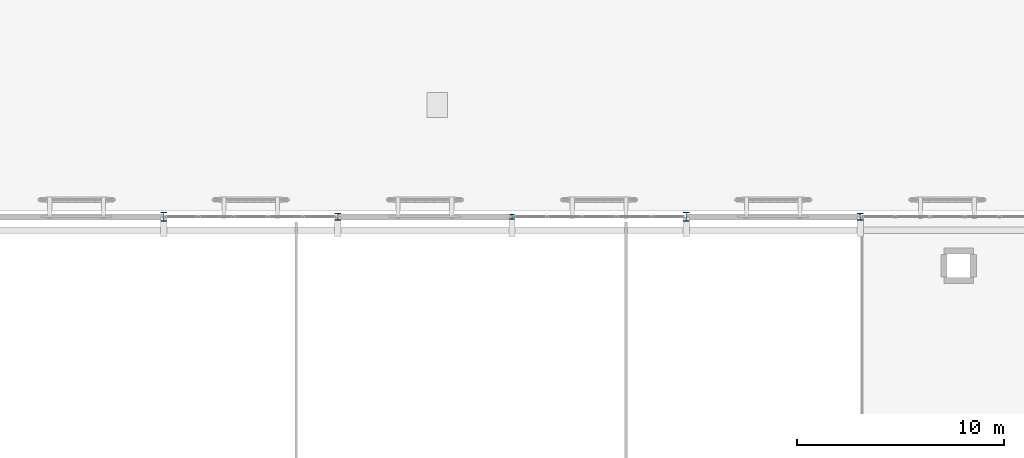
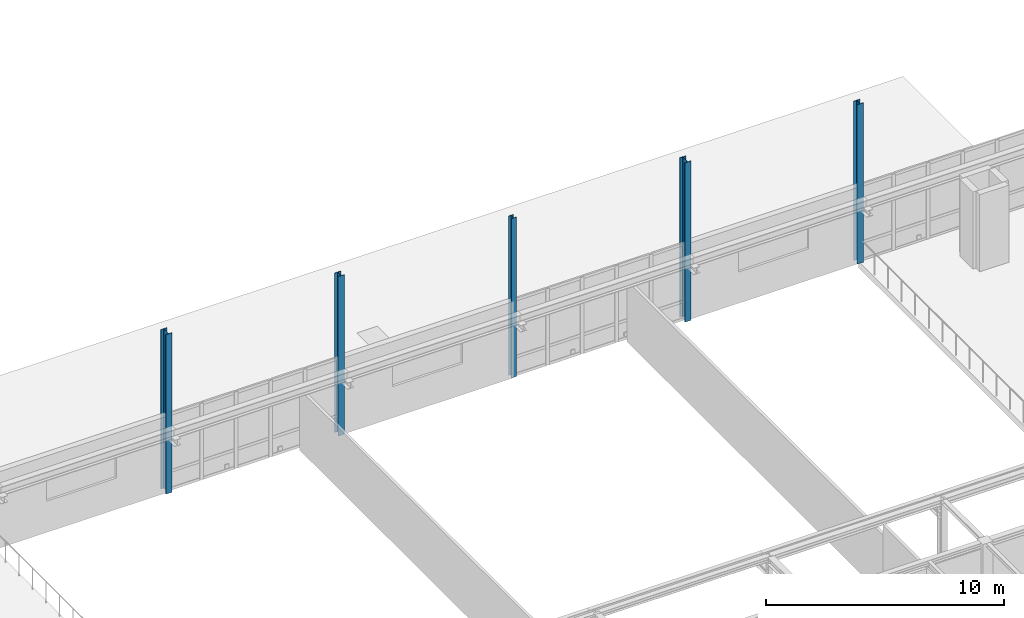
# One storey, part 15 of 170: 5 columns.
"""IFC4 building model written with IfcOpenShell, lengths in metres."""

from ifc_helpers import new_model, si_unit, direction, frame, origin, origin_2d, place, context, subcontext, project, spatial, i_section, extrude, material, material_profile, profile_set, type_object, element, save


model = new_model("IFC4")

# Units and contexts
model_context = context("Model", 3, precision=1e-05, world=origin(), true_north=direction((0.0, 1.0)))
body_context = subcontext(model_context, "Body", "Model", "MODEL_VIEW")
ifc_project = project(units=[si_unit("LENGTHUNIT", "METRE"), si_unit("AREAUNIT", "SQUARE_METRE"), si_unit("VOLUMEUNIT", "CUBIC_METRE"), si_unit("PLANEANGLEUNIT", "RADIAN"), si_unit("MASSUNIT", "GRAM", prefix="KILO")], contexts=[model_context])

# Site, building, storey
site_placement = place(None, origin())
site = spatial("IfcSite", under=ifc_project, at=site_placement, CompositionType="ELEMENT")
building_placement = place(site_placement, origin())
building = spatial("IfcBuilding", under=site, at=building_placement, Name="Mazaris Harbour Polytechnic", CompositionType="ELEMENT")
storey_placement = place(building_placement, frame((0.0, 0.0, 5.39990234375)))
storey = spatial("IfcBuildingStorey", under=building, at=storey_placement, Name="L01", CompositionType="ELEMENT", Elevation=5.39990234375)

# Columns
ifc_material_1 = material(Name="Steel S355", Category="steel")
ifc_material_profile_1 = material_profile(ifc_material_1, i_section(OverallWidth=0.239990234375, OverallDepth=0.239990234375, WebThickness=0.010009765625, FlangeThickness=0.01708984375, FilletRadius=0.02099609375, at=origin_2d()), Name="HEB 240")
ifc_profile_set_1 = profile_set([ifc_material_profile_1], Name="Steel S355")
column_type_1 = type_object("IfcColumnType", Name="Steel Column HEB240", PredefinedType="COLUMN", material=ifc_profile_set_1)
column_placement = place(storey_placement, frame((87.60009765625, 108.0, 0.0), z_axis=(0.0, 0.0, 1.0), x_axis=(1.0, 0.0, 0.0)))
element("IfcColumn", 1, at=column_placement, inside=storey, type_object=column_type_1, Name="V1 L01 Column 138", PredefinedType="COLUMN", context=body_context, shape_type="SweptSolid", body=[
    extrude(i_section(OverallWidth=0.239990234375, OverallDepth=0.239990234375, WebThickness=0.010009765625, FlangeThickness=0.01708984375, FilletRadius=0.02099609375, at=origin_2d()), origin(), (0.0, 0.0, 1.0), 8.18017578125),
])
ifc_material_2 = material(Name="Steel S355", Category="steel")
ifc_material_profile_2 = material_profile(ifc_material_2, i_section(OverallWidth=0.300048828125, OverallDepth=0.320068359375, WebThickness=0.011474609375, FlangeThickness=0.0205078125, FilletRadius=0.027099609375, at=origin_2d()), Name="HEB 320")
ifc_profile_set_2 = profile_set([ifc_material_profile_2], Name="Steel S355")
column_type_2 = type_object("IfcColumnType", Name="Steel Column HEB320", PredefinedType="COLUMN", material=ifc_profile_set_2)
for number, where, z_axis, x_axis, name in (
    (2, (79.199951171875, 108.0, 0.0), (0.0, 0.0, 1.0), (1.0, 0.0, 0.0), "V1 L01 Column 134"),
    (3, (104.39990234375, 108.0, 0.0), (0.0, 0.0, 1.0), (1.0, 0.0, 0.0), "V1 L01 Column 146"),
):
    element("IfcColumn", number, at=place(storey_placement, frame(where, z_axis=z_axis, x_axis=x_axis)), inside=storey, type_object=column_type_2, Name=name, PredefinedType="COLUMN", context=body_context, shape_type="SweptSolid", body=[
        extrude(i_section(OverallWidth=0.300048828125, OverallDepth=0.320068359375, WebThickness=0.011474609375, FlangeThickness=0.0205078125, FilletRadius=0.027099609375, at=origin_2d()), origin(), (0.0, 0.0, 1.0), 8.18017578125),
    ])
ifc_material_3 = material(Name="Steel S355", Category="steel")
ifc_material_profile_3 = material_profile(ifc_material_3, i_section(OverallWidth=0.300048828125, OverallDepth=0.449951171875, WebThickness=0.013916015625, FlangeThickness=0.02587890625, FilletRadius=0.027099609375, at=origin_2d()), Name="HEB 450")
ifc_profile_set_3 = profile_set([ifc_material_profile_3], Name="Steel S355")
column_type_3 = type_object("IfcColumnType", Name="Steel Column HEB450 Exterior", PredefinedType="COLUMN", material=ifc_profile_set_3)
for number, where, z_axis, x_axis, name in (
    (4, (70.800048828125, 108.0, 0.0), (0.0, 0.0, 1.0), (1.0, 0.0, 0.0), "V1 L01 Column 130"),
    (5, (96.0, 108.0, 0.0), (0.0, 0.0, 1.0), (1.0, 0.0, 0.0), "V1 L01 Column 142"),
):
    element("IfcColumn", number, at=place(storey_placement, frame(where, z_axis=z_axis, x_axis=x_axis)), inside=storey, type_object=column_type_3, Name=name, PredefinedType="COLUMN", context=body_context, shape_type="SweptSolid", body=[
        extrude(i_section(OverallWidth=0.300048828125, OverallDepth=0.449951171875, WebThickness=0.013916015625, FlangeThickness=0.02587890625, FilletRadius=0.027099609375, at=origin_2d()), origin(), (0.0, 0.0, 1.0), 8.18017578125),
    ])

save(model, "model.ifc")
